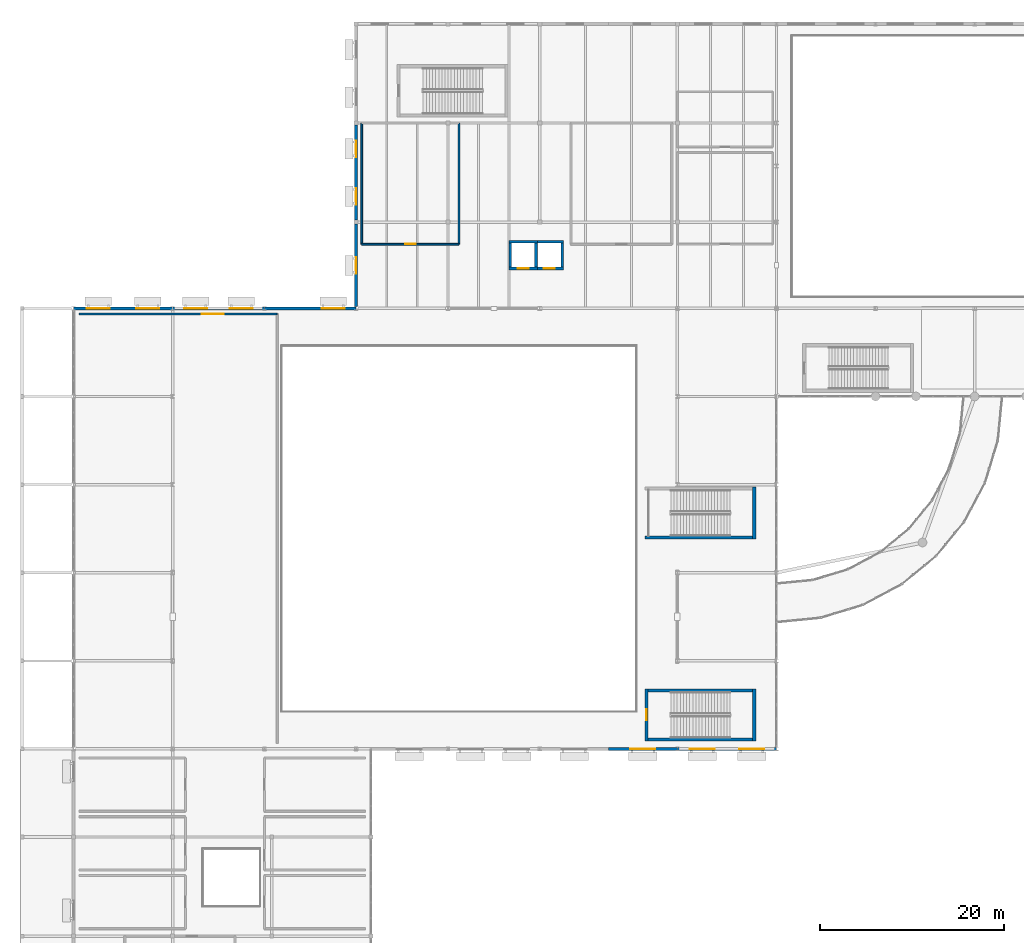
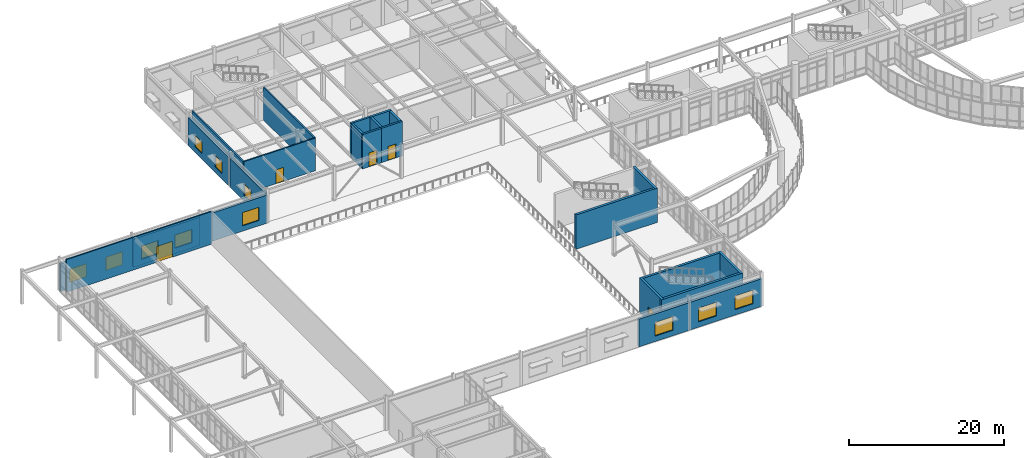
# One storey, part 49 of 72: 24 walls, 11 windows, 5 doors, 16 openings.
"""IFC4 building model written with IfcOpenShell, lengths in metres."""

import ifcopenshell
import ifcopenshell.guid

model = None  # the IFC model being written
_history = None  # IfcOwnerHistory: only IFC2X3 demands one
_inside = {}  # id of a spatial element -> (the spatial element, [elements in it])
_under = {}  # id of a project, library or spatial element -> (it, [spatial elements below it])
_declared = {}  # id of a project -> (the project, [libraries it declares])
_typed = {}  # id of a type object -> (the type object, [elements of that type])
_made_of = {}  # id of a material, layer set ... -> (it, [elements and type objects made of it])


def new_model(schema):
    """Start an empty IFC model of exactly this schema.

    Asked for "IFC4X3", IfcOpenShell would pick the latest addendum, in which some entities
    have other attributes; the version numbers below select the first issue.
    IFC2X3 requires an IfcOwnerHistory on every rooted entity: one is made here for all.
    """
    global model, _history
    if schema == "IFC4X3":
        model = ifcopenshell.file(schema_version=(4, 3, 0, 0))
    else:
        model = ifcopenshell.file(schema=schema)
    _inside.clear()
    _under.clear()
    _declared.clear()
    _typed.clear()
    _made_of.clear()
    _history = None
    if model.schema == "IFC2X3":
        org = make("IfcOrganization", Name="unknown")
        user = make(
            "IfcPersonAndOrganization",
            ThePerson=make("IfcPerson", FamilyName="unknown"),
            TheOrganization=org,
        )
        app = make(
            "IfcApplication",
            ApplicationDeveloper=org,
            Version="unknown",
            ApplicationFullName="unknown",
            ApplicationIdentifier="unknown",
        )
        _history = make(
            "IfcOwnerHistory",
            OwningUser=user,
            OwningApplication=app,
            ChangeAction="ADDED",
            CreationDate=0,
        )
    return model


def make(cls, **values):
    """One entity of the class cls with the attributes given. An attribute that is None is left unset."""
    return model.create_entity(
        cls, **{name: value for name, value in values.items() if value is not None}
    )


def rooted(cls, **values):
    """An entity with a GlobalId (a new one), such as an element, a storey or a relation."""
    return make(cls, GlobalId=ifcopenshell.guid.new(), OwnerHistory=_history, **values)


def si_unit(unit_type, name, prefix=None):
    """IfcSIUnit, for example si_unit("LENGTHUNIT", "METRE", prefix="MILLI")."""
    return make("IfcSIUnit", UnitType=unit_type, Prefix=prefix, Name=name)


def assignment(units):
    """IfcUnitAssignment: the units of a project."""
    return None if units is None else make("IfcUnitAssignment", Units=units)


def point(xyz):
    """IfcCartesianPoint."""
    return None if xyz is None else make("IfcCartesianPoint", Coordinates=xyz)


def direction(xyz):
    """IfcDirection."""
    return None if xyz is None else make("IfcDirection", DirectionRatios=xyz)


def frame(location, z_axis=None, x_axis=None):
    """IfcAxis2Placement3D, a coordinate frame: its origin and axes. An axis left out is left unset."""
    return make(
        "IfcAxis2Placement3D",
        Location=point(location),
        Axis=direction(z_axis),
        RefDirection=direction(x_axis),
    )


def frame_2d(location, x_axis=None):
    """IfcAxis2Placement2D, a coordinate frame in the plane: its origin and x axis."""
    return make(
        "IfcAxis2Placement2D", Location=point(location), RefDirection=direction(x_axis)
    )


def origin():
    """The frame at (0, 0, 0) with its axes left unset."""
    return frame((0.0, 0.0, 0.0))


def place(relative_to, where):
    """IfcLocalPlacement: puts the frame where relative to a parent placement (None: the world)."""
    return make(
        "IfcLocalPlacement", PlacementRelTo=relative_to, RelativePlacement=where
    )


def context(
    kind, dimensions, precision=None, world=None, true_north=None, identifier=None
):
    """IfcGeometricRepresentationContext, for example the 3D "Model" context."""
    return make(
        "IfcGeometricRepresentationContext",
        ContextIdentifier=identifier,
        ContextType=kind,
        CoordinateSpaceDimension=dimensions,
        Precision=precision,
        WorldCoordinateSystem=world,
        TrueNorth=true_north,
    )


def subcontext(parent, identifier, kind, view, scale=None):
    """IfcGeometricRepresentationSubContext, for example "Body" below "Model"."""
    return make(
        "IfcGeometricRepresentationSubContext",
        ContextIdentifier=identifier,
        ContextType=kind,
        ParentContext=parent,
        TargetScale=scale,
        TargetView=view,
    )


def project(units=None, contexts=None):
    """IfcProject with its units and contexts."""
    return rooted(
        "IfcProject",
        Name="project",
        RepresentationContexts=contexts,
        UnitsInContext=assignment(units),
    )


def spatial(cls, under=None, at=None, **own):
    """A site, building, storey or space (cls), placed at a placement, below another one or the project."""
    s = rooted(cls, ObjectPlacement=at, **own)
    if under is not None:
        _under.setdefault(under.id(), (under, []))[1].append(s)
    return s


def profile(cls, at=None, kind="AREA", **sizes):
    """A parametric profile (cls). Its sizes go by their IFC names, for example OverallWidth=200.0."""
    return make(cls, ProfileType=kind, Position=at, **sizes)


def rectangle(**sizes):
    """IfcRectangleProfileDef."""
    return profile("IfcRectangleProfileDef", **sizes)


def extrude(swept, where, along, depth):
    """IfcExtrudedAreaSolid: the profile swept, set in the frame where, extruded along a direction by depth."""
    return make(
        "IfcExtrudedAreaSolid",
        SweptArea=swept,
        Position=where,
        ExtrudedDirection=direction(along),
        Depth=depth,
    )


def shape(context_of_items, identifier, shape_type, items):
    """IfcShapeRepresentation: the items that make up one representation, for example the "Body"."""
    return make(
        "IfcShapeRepresentation",
        ContextOfItems=context_of_items,
        RepresentationIdentifier=identifier,
        RepresentationType=shape_type,
        Items=items,
    )


def material(Name=None, Category=None):
    """IfcMaterial."""
    return make("IfcMaterial", Name=Name, Category=Category)


def layer(
    of_material, thickness, ventilated=None, Name=None, Category=None, Priority=None
):
    """IfcMaterialLayer: one layer of a wall or slab, of a material (None: an air gap)."""
    return make(
        "IfcMaterialLayer",
        Material=of_material,
        LayerThickness=thickness,
        IsVentilated=ventilated,
        Name=Name,
        Category=Category,
        Priority=Priority,
    )


def layer_set(layers, Name=None):
    """IfcMaterialLayerSet."""
    return make("IfcMaterialLayerSet", MaterialLayers=layers, LayerSetName=Name)


def made_of(thing, what):
    """Note that an element or type object is made of a material, layer set ...; save() writes the relation."""
    if what is not None:
        _made_of.setdefault(what.id(), (what, []))[1].append(thing)
    return thing


def type_object(cls, material=None, **own):
    """A type object (cls), such as IfcWallType, which elements share."""
    return made_of(rooted(cls, **own), material)


def element(
    cls,
    number,
    at=None,
    inside=None,
    cuts=None,
    type_object=None,
    material=None,
    context=None,
    identifier="Body",
    shape_type=None,
    held_by="IfcProductDefinitionShape",
    body=None,
    shapes=None,
    **own,
):
    """One element of the class cls, such as IfcWall. Its Tag is "e" and its number.

    at: its placement. inside: the storey or other place that contains it. cuts: it is an
    opening in that element (IfcRelVoidsElement). A single representation is given by context,
    identifier, shape_type and body (its items); several are given by shapes. held_by: the class
    of the entity that holds the representations. save() writes the other relations.
    """
    e = rooted(cls, Tag="e%d" % number, ObjectPlacement=at, **own)
    if body is not None:
        shapes = [shape(context, identifier, shape_type, body)]
    if shapes is not None:
        e.Representation = make(held_by, Representations=shapes)
    if inside is not None:
        _inside.setdefault(inside.id(), (inside, []))[1].append(e)
    if cuts is not None:
        rooted(
            "IfcRelVoidsElement", RelatingBuildingElement=cuts, RelatedOpeningElement=e
        )
    if type_object is not None:
        _typed.setdefault(type_object.id(), (type_object, []))[1].append(e)
    return made_of(e, material)


def fill(opening, filler):
    """IfcRelFillsElement: the door or window that sits in an opening."""
    return rooted(
        "IfcRelFillsElement",
        RelatingOpeningElement=opening,
        RelatedBuildingElement=filler,
    )


def aggregate(whole, parts):
    """IfcRelAggregates: a whole, such as a stair, and the parts it consists of."""
    return rooted("IfcRelAggregates", RelatingObject=whole, RelatedObjects=parts)


def save(model, path):
    """Write the relations noted so far, then the file.

    IfcRelAggregates (storeys below a building ...), IfcRelContainedInSpatialStructure (elements
    in a storey), IfcRelDefinesByType, IfcRelAssociatesMaterial and IfcRelDeclares: one each for
    every whole, place, type object, material and project.
    """
    for whole, parts in _under.values():
        aggregate(whole, parts)
    for where, things in _inside.values():
        rooted(
            "IfcRelContainedInSpatialStructure",
            RelatedElements=things,
            RelatingStructure=where,
        )
    for kind, things in _typed.values():
        rooted("IfcRelDefinesByType", RelatedObjects=things, RelatingType=kind)
    for what, things in _made_of.values():
        rooted("IfcRelAssociatesMaterial", RelatedObjects=things, RelatingMaterial=what)
    for by, libraries in _declared.values():
        rooted("IfcRelDeclares", RelatingContext=by, RelatedDefinitions=libraries)
    model.write(path)


model = new_model("IFC4")

# Units and contexts
model_context = context("Model", 3, precision=1e-05, world=origin(), true_north=direction((0.0, 1.0)))
body_context = subcontext(model_context, "Body", "Model", "MODEL_VIEW")
ifc_project = project(units=[si_unit("LENGTHUNIT", "METRE"), si_unit("AREAUNIT", "SQUARE_METRE"), si_unit("VOLUMEUNIT", "CUBIC_METRE"), si_unit("PLANEANGLEUNIT", "RADIAN"), si_unit("MASSUNIT", "GRAM", prefix="KILO")], contexts=[model_context])

# Site, building, storey
site_placement = place(None, origin())
site = spatial("IfcSite", under=ifc_project, at=site_placement, CompositionType="ELEMENT")
building_placement = place(site_placement, origin())
building = spatial("IfcBuilding", under=site, at=building_placement, Name="Veldera Park Congress Hotel", CompositionType="ELEMENT")
storey_placement = place(building_placement, frame((0.0, 0.0, 5.39990234375)))
storey = spatial("IfcBuildingStorey", under=building, at=storey_placement, Name="L01", CompositionType="ELEMENT", Elevation=5.39990234375)

# Wall, openings, windows
ifc_material_1 = material(Name="Cross-laminated timber CLT V2M1.1", Category="wood")
ifc_layer_1 = layer(ifc_material_1, 0.320068359375)
ifc_layer_set_1 = layer_set([ifc_layer_1], Name="Cross-laminated timber CLT V2M1.1")
wall_type_1 = type_object("IfcWallType", Name="EW-CLT320", PredefinedType="STANDARD", material=ifc_layer_set_1)
wall_1_placement = place(storey_placement, frame((-47.39990234375, 46.97705078125, 0.0), z_axis=(0.0, 0.0, 1.0), x_axis=(0.0, -1.0, 0.0)))
wall_1 = element("IfcWall", 1, at=wall_1_placement, inside=storey, type_object=wall_type_1, Name="L01 Exterior Wall EW3-L01-0053", PredefinedType="STANDARD", context=body_context, shape_type="SweptSolid", body=[
    extrude(rectangle(XDim=10.35400390625, YDim=0.320068359375, at=frame_2d((5.177001953125, 0.0))), origin(), (0.0, 0.0, 1.0), 4.43212890625),
])
opening_1_placement = place(wall_1_placement, frame((1.6884765625, 0.0, 0.85009765625)))
opening_1 = element("IfcOpeningElement", 2, at=opening_1_placement, cuts=wall_1, Name="Opening WIN-1800", PredefinedType="OPENING", context=body_context, shape_type="SweptSolid", body=[
    extrude(rectangle(XDim=1.800048828125, YDim=1.85009765625, at=frame_2d((0.89990234375, 0.925048828125))), frame((0.0, 0.172119140625, 0.0), z_axis=(0.0, -1.0, 0.0), x_axis=(1.0, 0.0, 0.0)), (0.0, 0.0, 1.0), 0.343994140625),
])
opening_2_placement = place(wall_1_placement, frame((6.865478515625, 0.0, 0.85009765625)))
opening_2 = element("IfcOpeningElement", 3, at=opening_2_placement, cuts=wall_1, Name="Opening WIN-1800", PredefinedType="OPENING", context=body_context, shape_type="SweptSolid", body=[
    extrude(rectangle(XDim=1.800048828125, YDim=1.85009765625, at=frame_2d((0.89990234375, 0.925048828125))), frame((0.0, 0.172119140625, 0.0), z_axis=(0.0, -1.0, 0.0), x_axis=(1.0, 0.0, 0.0)), (0.0, 0.0, 1.0), 0.343994140625),
])
ifc_material_2 = material(Name="Low-E Triple Insulating Glass Unit (SHGC 0.22)", Category="glass")
window_type_1 = type_object("IfcWindowType", Name="WIN-1800", PartitioningType="SINGLE_PANEL", PredefinedType="WINDOW", material=ifc_material_2)
window_1_placement = place(opening_1_placement, origin())
window_1 = element("IfcWindow", 4, at=window_1_placement, inside=storey, type_object=window_type_1, Name="L01 Window WIN-1800 61", OverallHeight=1.85009765625, OverallWidth=1.800048828125, PartitioningType="SINGLE_PANEL", PredefinedType="WINDOW", context=body_context, shape_type="SweptSolid", body=[
    extrude(rectangle(XDim=1.800048828125, YDim=1.85009765625, at=frame_2d((0.89990234375, 0.925048828125))), frame((0.0, 0.030029296875, 0.0), z_axis=(0.0, -1.0, 0.0), x_axis=(1.0, 0.0, 0.0)), (0.0, 0.0, 1.0), 0.06005859375),
])
fill(opening_1, window_1)
window_2_placement = place(opening_2_placement, origin())
window_2 = element("IfcWindow", 5, at=window_2_placement, inside=storey, type_object=window_type_1, Name="L01 Window WIN-1800 62", OverallHeight=1.85009765625, OverallWidth=1.800048828125, PartitioningType="SINGLE_PANEL", PredefinedType="WINDOW", context=body_context, shape_type="SweptSolid", body=[
    extrude(rectangle(XDim=1.800048828125, YDim=1.85009765625, at=frame_2d((0.89990234375, 0.925048828125))), frame((0.0, 0.030029296875, 0.0), z_axis=(0.0, -1.0, 0.0), x_axis=(1.0, 0.0, 0.0)), (0.0, 0.0, 1.0), 0.06005859375),
])
fill(opening_2, window_2)

# Wall, opening, window
wall_2_placement = place(storey_placement, frame((-47.39990234375, 36.177001953125, 0.0), z_axis=(0.0, 0.0, 1.0), x_axis=(0.0, -1.0, 0.0)))
wall_2 = element("IfcWall", 6, at=wall_2_placement, inside=storey, type_object=wall_type_1, Name="L01 Exterior Wall EW3-L01-0054", PredefinedType="STANDARD", context=body_context, shape_type="SweptSolid", body=[
    extrude(rectangle(XDim=8.988525390625, YDim=0.320068359375, at=frame_2d((4.494140625, 0.0))), origin(), (0.0, 0.0, 1.0), 4.508056640625),
])
opening_3_placement = place(wall_2_placement, frame((3.59423828125, 0.0, 0.85009765625)))
opening_3 = element("IfcOpeningElement", 7, at=opening_3_placement, cuts=wall_2, Name="Opening WIN-1800", PredefinedType="OPENING", context=body_context, shape_type="SweptSolid", body=[
    extrude(rectangle(XDim=1.800048828125, YDim=1.85009765625, at=frame_2d((0.89990234375, 0.925048828125))), frame((0.0, 0.172119140625, 0.0), z_axis=(0.0, -1.0, 0.0), x_axis=(1.0, 0.0, 0.0)), (0.0, 0.0, 1.0), 0.343994140625),
])
window_3_placement = place(opening_3_placement, origin())
window_3 = element("IfcWindow", 8, at=window_3_placement, inside=storey, type_object=window_type_1, Name="L01 Window WIN-1800 63", OverallHeight=1.85009765625, OverallWidth=1.800048828125, PartitioningType="SINGLE_PANEL", PredefinedType="WINDOW", context=body_context, shape_type="SweptSolid", body=[
    extrude(rectangle(XDim=1.800048828125, YDim=1.85009765625, at=frame_2d((0.89990234375, 0.925048828125))), frame((0.0, 0.030029296875, 0.0), z_axis=(0.0, -1.0, 0.0), x_axis=(1.0, 0.0, 0.0)), (0.0, 0.0, 1.0), 0.06005859375),
])
fill(opening_3, window_3)

ifc_material_3 = material(Name="Architectural Sandstone Cladding (ASTM C616)", Category="masonry")
ifc_layer_2 = layer(ifc_material_3, 0.340087890625)
ifc_layer_set_2 = layer_set([ifc_layer_2], Name="Architectural Sandstone Cladding (ASTM C616)")
wall_type_2 = type_object("IfcWallType", Name="EW-STONE340", PredefinedType="STANDARD", material=ifc_layer_set_2)
wall_3_placement = place(storey_placement, frame((-47.407470703125, 27.0, 0.0), z_axis=(0.0, 0.0, 1.0), x_axis=(-1.0, 0.0, 0.0)))
wall_3 = element("IfcWall", 9, at=wall_3_placement, inside=storey, type_object=wall_type_2, Name="L01 Exterior Wall EW3-L01-0049", PredefinedType="STANDARD", context=body_context, shape_type="SweptSolid", body=[
    extrude(rectangle(XDim=9.985107421875, YDim=0.340087890625, at=frame_2d((4.99267578125, 0.0))), origin(), (0.0, 0.0, 1.0), 4.424072265625),
])
opening_4_placement = place(wall_3_placement, frame((1.246337890625, 0.0, 0.85009765625)))
opening_4 = element("IfcOpeningElement", 10, at=opening_4_placement, cuts=wall_3, Name="Opening WIN-2500", PredefinedType="OPENING", context=body_context, shape_type="SweptSolid", body=[
    extrude(rectangle(XDim=2.5, YDim=2.080078125, at=frame_2d((1.25, 1.0400390625))), frame((0.0, 0.18212890625, 0.0), z_axis=(0.0, -1.0, 0.0), x_axis=(1.0, 0.0, 0.0)), (0.0, 0.0, 1.0), 0.364013671875),
])
window_type_2 = type_object("IfcWindowType", Name="WIN-2500", PartitioningType="DOUBLE_PANEL_VERTICAL", PredefinedType="WINDOW", material=ifc_material_2)
window_4_placement = place(opening_4_placement, origin())
window_4 = element("IfcWindow", 11, at=window_4_placement, inside=storey, type_object=window_type_2, Name="L01 Window WIN-2500 54", OverallHeight=2.080078125, OverallWidth=2.5, PartitioningType="DOUBLE_PANEL_VERTICAL", PredefinedType="WINDOW", context=body_context, shape_type="SweptSolid", body=[
    extrude(rectangle(XDim=2.5, YDim=2.080078125, at=frame_2d((1.25, 1.0400390625))), frame((0.0, 0.030029296875, 0.0), z_axis=(0.0, -1.0, 0.0), x_axis=(1.0, 0.0, 0.0)), (0.0, 0.0, 1.0), 0.06005859375),
])
fill(opening_4, window_4)

# Wall, openings, windows
wall_4_placement = place(storey_placement, frame((-57.407470703125, 27.0, 0.0), z_axis=(0.0, 0.0, 1.0), x_axis=(-1.0, 0.0, 0.0)))
wall_4 = element("IfcWall", 12, at=wall_4_placement, inside=storey, type_object=wall_type_2, Name="L01 Exterior Wall EW3-L01-0050", PredefinedType="STANDARD", context=body_context, shape_type="SweptSolid", body=[
    extrude(rectangle(XDim=9.98193359375, YDim=0.340087890625, at=frame_2d((4.990966796875, 0.0))), origin(), (0.0, 0.0, 1.0), 4.424072265625),
])
opening_5_placement = place(wall_4_placement, frame((1.24560546875, 0.0, 0.85009765625)))
opening_5 = element("IfcOpeningElement", 13, at=opening_5_placement, cuts=wall_4, Name="Opening WIN-2500", PredefinedType="OPENING", context=body_context, shape_type="SweptSolid", body=[
    extrude(rectangle(XDim=2.5, YDim=2.080078125, at=frame_2d((1.25, 1.0400390625))), frame((0.0, 0.18212890625, 0.0), z_axis=(0.0, -1.0, 0.0), x_axis=(1.0, 0.0, 0.0)), (0.0, 0.0, 1.0), 0.364013671875),
])
opening_6_placement = place(wall_4_placement, frame((6.236572265625, 0.0, 0.85009765625)))
opening_6 = element("IfcOpeningElement", 14, at=opening_6_placement, cuts=wall_4, Name="Opening WIN-2500", PredefinedType="OPENING", context=body_context, shape_type="SweptSolid", body=[
    extrude(rectangle(XDim=2.5, YDim=2.080078125, at=frame_2d((1.25, 1.0400390625))), frame((0.0, 0.18212890625, 0.0), z_axis=(0.0, -1.0, 0.0), x_axis=(1.0, 0.0, 0.0)), (0.0, 0.0, 1.0), 0.364013671875),
])
window_5_placement = place(opening_5_placement, origin())
window_5 = element("IfcWindow", 15, at=window_5_placement, inside=storey, type_object=window_type_2, Name="L01 Window WIN-2500 55", OverallHeight=2.080078125, OverallWidth=2.5, PartitioningType="DOUBLE_PANEL_VERTICAL", PredefinedType="WINDOW", context=body_context, shape_type="SweptSolid", body=[
    extrude(rectangle(XDim=2.5, YDim=2.080078125, at=frame_2d((1.25, 1.0400390625))), frame((0.0, 0.030029296875, 0.0), z_axis=(0.0, -1.0, 0.0), x_axis=(1.0, 0.0, 0.0)), (0.0, 0.0, 1.0), 0.06005859375),
])
fill(opening_5, window_5)
window_6_placement = place(opening_6_placement, origin())
window_6 = element("IfcWindow", 16, at=window_6_placement, inside=storey, type_object=window_type_2, Name="L01 Window WIN-2500 56", OverallHeight=2.080078125, OverallWidth=2.5, PartitioningType="DOUBLE_PANEL_VERTICAL", PredefinedType="WINDOW", context=body_context, shape_type="SweptSolid", body=[
    extrude(rectangle(XDim=2.5, YDim=2.080078125, at=frame_2d((1.25, 1.0400390625))), frame((0.0, 0.030029296875, 0.0), z_axis=(0.0, -1.0, 0.0), x_axis=(1.0, 0.0, 0.0)), (0.0, 0.0, 1.0), 0.06005859375),
])
fill(opening_6, window_6)

wall_5_placement = place(storey_placement, frame((-67.410400390625, 27.0, 0.0), z_axis=(0.0, 0.0, 1.0), x_axis=(-1.0, 0.0, 0.0)))
wall_5 = element("IfcWall", 17, at=wall_5_placement, inside=storey, type_object=wall_type_2, Name="L01 Exterior Wall EW3-L01-0051", PredefinedType="STANDARD", context=body_context, shape_type="SweptSolid", body=[
    extrude(rectangle(XDim=10.782958984375, YDim=0.340087890625, at=frame_2d((5.3916015625, 0.0))), origin(), (0.0, 0.0, 1.0), 4.34619140625),
])
opening_7_placement = place(wall_5_placement, frame((1.44580078125, 0.0, 0.85009765625)))
opening_7 = element("IfcOpeningElement", 18, at=opening_7_placement, cuts=wall_5, Name="Opening WIN-2500", PredefinedType="OPENING", context=body_context, shape_type="SweptSolid", body=[
    extrude(rectangle(XDim=2.5, YDim=2.080078125, at=frame_2d((1.25, 1.0400390625))), frame((0.0, 0.18212890625, 0.0), z_axis=(0.0, -1.0, 0.0), x_axis=(1.0, 0.0, 0.0)), (0.0, 0.0, 1.0), 0.364013671875),
])
opening_8_placement = place(wall_5_placement, frame((6.837158203125, 0.0, 0.85009765625)))
opening_8 = element("IfcOpeningElement", 19, at=opening_8_placement, cuts=wall_5, Name="Opening WIN-2500", PredefinedType="OPENING", context=body_context, shape_type="SweptSolid", body=[
    extrude(rectangle(XDim=2.5, YDim=2.080078125, at=frame_2d((1.25, 1.0400390625))), frame((0.0, 0.18212890625, 0.0), z_axis=(0.0, -1.0, 0.0), x_axis=(1.0, 0.0, 0.0)), (0.0, 0.0, 1.0), 0.364013671875),
])
window_7_placement = place(opening_7_placement, origin())
window_7 = element("IfcWindow", 20, at=window_7_placement, inside=storey, type_object=window_type_2, Name="L01 Window WIN-2500 57", OverallHeight=2.080078125, OverallWidth=2.5, PartitioningType="DOUBLE_PANEL_VERTICAL", PredefinedType="WINDOW", context=body_context, shape_type="SweptSolid", body=[
    extrude(rectangle(XDim=2.5, YDim=2.080078125, at=frame_2d((1.25, 1.0400390625))), frame((0.0, 0.030029296875, 0.0), z_axis=(0.0, -1.0, 0.0), x_axis=(1.0, 0.0, 0.0)), (0.0, 0.0, 1.0), 0.06005859375),
])
fill(opening_7, window_7)
window_8_placement = place(opening_8_placement, origin())
window_8 = element("IfcWindow", 21, at=window_8_placement, inside=storey, type_object=window_type_2, Name="L01 Window WIN-2500 58", OverallHeight=2.080078125, OverallWidth=2.5, PartitioningType="DOUBLE_PANEL_VERTICAL", PredefinedType="WINDOW", context=body_context, shape_type="SweptSolid", body=[
    extrude(rectangle(XDim=2.5, YDim=2.080078125, at=frame_2d((1.25, 1.0400390625))), frame((0.0, 0.030029296875, 0.0), z_axis=(0.0, -1.0, 0.0), x_axis=(1.0, 0.0, 0.0)), (0.0, 0.0, 1.0), 0.06005859375),
])
fill(opening_8, window_8)

# Wall, opening, window
ifc_layer_3 = layer(ifc_material_3, 0.360107421875)
ifc_layer_set_3 = layer_set([ifc_layer_3], Name="Architectural Sandstone Cladding (ASTM C616)")
wall_type_3 = type_object("IfcWallType", Name="EW-STONE360", PredefinedType="STANDARD", material=ifc_layer_set_3)
wall_6_placement = place(storey_placement, frame((-19.903564453125, -21.0, 0.0), z_axis=(0.0, 0.0, 1.0), x_axis=(1.0, 0.0, 0.0)))
wall_6 = element("IfcWall", 22, at=wall_6_placement, inside=storey, type_object=wall_type_3, Name="L01 Exterior Wall EW3-L01-0047", PredefinedType="STANDARD", context=body_context, shape_type="SweptSolid", body=[
    extrude(rectangle(XDim=7.4931640625, YDim=0.360107421875, at=frame_2d((3.74658203125, 0.0))), origin(), (0.0, 0.0, 1.0), 4.34619140625),
])
opening_9_placement = place(wall_6_placement, frame((2.396484375, 0.0, 0.85009765625)))
opening_9 = element("IfcOpeningElement", 23, at=opening_9_placement, cuts=wall_6, Name="Opening WIN-2700", PredefinedType="OPENING", context=body_context, shape_type="SweptSolid", body=[
    extrude(rectangle(XDim=2.699951171875, YDim=2.14990234375, at=frame_2d((1.35009765625, 1.074951171875))), frame((0.0, 0.192138671875, 0.0), z_axis=(0.0, -1.0, 0.0), x_axis=(1.0, 0.0, 0.0)), (0.0, 0.0, 1.0), 0.384033203125),
])
window_type_3 = type_object("IfcWindowType", Name="WIN-2700", PartitioningType="TRIPLE_PANEL_VERTICAL", PredefinedType="WINDOW", material=ifc_material_2)
window_9_placement = place(opening_9_placement, origin())
window_9 = element("IfcWindow", 24, at=window_9_placement, inside=storey, type_object=window_type_3, Name="L01 Window WIN-2700 51", OverallHeight=2.14990234375, OverallWidth=2.699951171875, PartitioningType="TRIPLE_PANEL_VERTICAL", PredefinedType="WINDOW", context=body_context, shape_type="SweptSolid", body=[
    extrude(rectangle(XDim=2.699951171875, YDim=2.14990234375, at=frame_2d((1.35009765625, 1.074951171875))), frame((0.0, 0.030029296875, 0.0), z_axis=(0.0, -1.0, 0.0), x_axis=(1.0, 0.0, 0.0)), (0.0, 0.0, 1.0), 0.06005859375),
])
fill(opening_9, window_9)

# Wall, openings, windows
wall_7_placement = place(storey_placement, frame((-12.3896484375, -21.0, 0.0), z_axis=(0.0, 0.0, 1.0), x_axis=(1.0, 0.0, 0.0)))
wall_7 = element("IfcWall", 25, at=wall_7_placement, inside=storey, type_object=wall_type_3, Name="L01 Exterior Wall EW3-L01-0048", PredefinedType="STANDARD", context=body_context, shape_type="SweptSolid", body=[
    extrude(rectangle(XDim=10.782958984375, YDim=0.360107421875, at=frame_2d((5.3916015625, 0.0))), origin(), (0.0, 0.0, 1.0), 4.34619140625),
])
opening_10_placement = place(wall_7_placement, frame((1.345703125, 0.0, 0.85009765625)))
opening_10 = element("IfcOpeningElement", 26, at=opening_10_placement, cuts=wall_7, Name="Opening WIN-2700", PredefinedType="OPENING", context=body_context, shape_type="SweptSolid", body=[
    extrude(rectangle(XDim=2.699951171875, YDim=2.14990234375, at=frame_2d((1.35009765625, 1.074951171875))), frame((0.0, 0.192138671875, 0.0), z_axis=(0.0, -1.0, 0.0), x_axis=(1.0, 0.0, 0.0)), (0.0, 0.0, 1.0), 0.384033203125),
])
opening_11_placement = place(wall_7_placement, frame((6.7373046875, 0.0, 0.85009765625)))
opening_11 = element("IfcOpeningElement", 27, at=opening_11_placement, cuts=wall_7, Name="Opening WIN-2700", PredefinedType="OPENING", context=body_context, shape_type="SweptSolid", body=[
    extrude(rectangle(XDim=2.699951171875, YDim=2.14990234375, at=frame_2d((1.35009765625, 1.074951171875))), frame((0.0, 0.192138671875, 0.0), z_axis=(0.0, -1.0, 0.0), x_axis=(1.0, 0.0, 0.0)), (0.0, 0.0, 1.0), 0.384033203125),
])
window_10_placement = place(opening_10_placement, origin())
window_10 = element("IfcWindow", 28, at=window_10_placement, inside=storey, type_object=window_type_3, Name="L01 Window WIN-2700 52", OverallHeight=2.14990234375, OverallWidth=2.699951171875, PartitioningType="TRIPLE_PANEL_VERTICAL", PredefinedType="WINDOW", context=body_context, shape_type="SweptSolid", body=[
    extrude(rectangle(XDim=2.699951171875, YDim=2.14990234375, at=frame_2d((1.35009765625, 1.074951171875))), frame((0.0, 0.030029296875, 0.0), z_axis=(0.0, -1.0, 0.0), x_axis=(1.0, 0.0, 0.0)), (0.0, 0.0, 1.0), 0.06005859375),
])
fill(opening_10, window_10)
window_11_placement = place(opening_11_placement, origin())
window_11 = element("IfcWindow", 29, at=window_11_placement, inside=storey, type_object=window_type_3, Name="L01 Window WIN-2700 53", OverallHeight=2.14990234375, OverallWidth=2.699951171875, PartitioningType="TRIPLE_PANEL_VERTICAL", PredefinedType="WINDOW", context=body_context, shape_type="SweptSolid", body=[
    extrude(rectangle(XDim=2.699951171875, YDim=2.14990234375, at=frame_2d((1.35009765625, 1.074951171875))), frame((0.0, 0.030029296875, 0.0), z_axis=(0.0, -1.0, 0.0), x_axis=(1.0, 0.0, 0.0)), (0.0, 0.0, 1.0), 0.06005859375),
])
fill(opening_11, window_11)

# Wall, opening, door
ifc_material_4 = material(Name="Fire-Rated Gypsum Board on Cold-Formed Steel Studs", Category="steel")
ifc_layer_4 = layer(ifc_material_4, 0.195068359375)
ifc_layer_set_4 = layer_set([ifc_layer_4], Name="Fire-Rated Gypsum Board on Cold-Formed Steel Studs")
wall_type_4 = type_object("IfcWallType", Name="IW-CORR195", PredefinedType="PARTITIONING", material=ifc_layer_set_4)
wall_8_placement = place(storey_placement, frame((-56.0, 26.39990234375, 0.0), z_axis=(0.0, 0.0, 1.0), x_axis=(-1.0, 0.0, 0.0)))
wall_8 = element("IfcWall", 30, at=wall_8_placement, inside=storey, type_object=wall_type_4, Name="L01 Partition Wall IW3-L01-00096", PredefinedType="PARTITIONING", context=body_context, shape_type="SweptSolid", body=[
    extrude(rectangle(XDim=21.60009765625, YDim=0.195068359375, at=frame_2d((10.800048828125, 0.0))), origin(), (0.0, 0.0, 1.0), 5.130126953125),
])
opening_12_placement = place(wall_8_placement, frame((5.80810546875, 0.0, 0.0)))
opening_12 = element("IfcOpeningElement", 31, at=opening_12_placement, cuts=wall_8, Name="Opening ID-HALL240", PredefinedType="OPENING", context=body_context, shape_type="SweptSolid", body=[
    extrude(rectangle(XDim=2.39990234375, YDim=2.5, at=frame_2d((1.199951171875, 1.25))), frame((0.0, 0.109619140625, 0.0), z_axis=(0.0, -1.0, 0.0), x_axis=(1.0, 0.0, 0.0)), (0.0, 0.0, 1.0), 0.218994140625),
])
ifc_material_5 = material(Name="Solid Core White Oak Architectural Door", Category="wood")
door_type_1 = type_object("IfcDoorType", Name="ID-HALL240", OperationType="DOUBLE_DOOR_SINGLE_SWING", PredefinedType="DOOR", material=ifc_material_5)
door_1_placement = place(opening_12_placement, origin())
door_1 = element("IfcDoor", 32, at=door_1_placement, inside=storey, type_object=door_type_1, Name="L01 Plenary Balcony Tier and Delegates Lounge Door ID3-L01-0035 (DR3-ID3-L01-0035)", OperationType="DOUBLE_DOOR_SINGLE_SWING", OverallHeight=2.5, OverallWidth=2.39990234375, PredefinedType="DOOR", context=body_context, shape_type="SweptSolid", body=[
    extrude(rectangle(XDim=2.39990234375, YDim=2.5, at=frame_2d((1.199951171875, 1.25))), frame((0.0, 0.02490234375, 0.0), z_axis=(0.0, -1.0, 0.0), x_axis=(1.0, 0.0, 0.0)), (0.0, 0.0, 1.0), 0.050048828125),
])
fill(opening_12, door_1)

wall_9_placement = place(storey_placement, frame((-46.800048828125, 34.0, 0.0), z_axis=(0.0, 0.0, 1.0), x_axis=(1.0, 0.0, 0.0)))
wall_9 = element("IfcWall", 33, at=wall_9_placement, inside=storey, type_object=wall_type_4, Name="L01 Partition Wall IW3-L01-00097", PredefinedType="PARTITIONING", context=body_context, shape_type="SweptSolid", body=[
    extrude(rectangle(XDim=10.60009765625, YDim=0.195068359375, at=frame_2d((5.300048828125, 0.0))), origin(), (0.0, 0.0, 1.0), 5.130126953125),
])
opening_13_placement = place(wall_9_placement, frame((4.72509765625, 0.0, 0.0)))
opening_13 = element("IfcOpeningElement", 34, at=opening_13_placement, cuts=wall_9, Name="Opening ID-MEET115", PredefinedType="OPENING", context=body_context, shape_type="SweptSolid", body=[
    extrude(rectangle(XDim=1.14990234375, YDim=2.199951171875, at=frame_2d((0.574951171875, 1.10009765625))), frame((0.0, 0.109619140625, 0.0), z_axis=(0.0, -1.0, 0.0), x_axis=(1.0, 0.0, 0.0)), (0.0, 0.0, 1.0), 0.218994140625),
])
door_type_2 = type_object("IfcDoorType", Name="ID-MEET115", OperationType="NOTDEFINED", PredefinedType="DOOR", material=ifc_material_5)
door_2_placement = place(opening_13_placement, origin())
door_2 = element("IfcDoor", 35, at=door_2_placement, inside=storey, type_object=door_type_2, Name="L01 Breakout Seminar Hall A Door ID3-L01-0036 (DR3-ID3-L01-0036)", OperationType="SINGLE_SWING_LEFT", OverallHeight=2.199951171875, OverallWidth=1.14990234375, PredefinedType="DOOR", context=body_context, shape_type="SweptSolid", body=[
    extrude(rectangle(XDim=1.14990234375, YDim=2.199951171875, at=frame_2d((0.574951171875, 1.10009765625))), frame((0.0, 0.02490234375, 0.0), z_axis=(0.0, -1.0, 0.0), x_axis=(1.0, 0.0, 0.0)), (0.0, 0.0, 1.0), 0.050048828125),
])
fill(opening_13, door_2)

# Walls
for number, where, z_axis, x_axis, name in (
    (36, (-36.199951171875, 34.0, 0.0), (0.0, 0.0, 1.0), (0.0, 1.0, 0.0), "L01 Partition Wall IW3-L01-00098"),
    (37, (-46.800048828125, 47.199951171875, 0.0), (0.0, 0.0, 1.0), (0.0, -1.0, 0.0), "L01 Partition Wall IW3-L01-00100"),
):
    element("IfcWall", number, at=place(storey_placement, frame(where, z_axis=z_axis, x_axis=x_axis)), inside=storey, type_object=wall_type_4, Name=name, PredefinedType="PARTITIONING", context=body_context, shape_type="SweptSolid", body=[
        extrude(rectangle(XDim=13.199951171875, YDim=0.195068359375, at=frame_2d((6.60009765625, 0.0))), origin(), (0.0, 0.0, 1.0), 5.130126953125),
    ])
ifc_material_6 = material(Name="Concrete f'c 40 MPa (5,800 psi)", Category="concrete")
ifc_layer_5 = layer(ifc_material_6, 0.35009765625)
ifc_layer_set_5 = layer_set([ifc_layer_5], Name="Concrete f'c 40 MPa (5,800 psi)")
wall_type_5 = type_object("IfcWallType", Name="SW-CORE350", PredefinedType="SHEAR", material=ifc_layer_set_5)
wall_10_placement = place(storey_placement, frame((-15.949951171875, -19.97509765625, 0.0), z_axis=(0.0, 0.0, 1.0), x_axis=(1.0, 0.0, 0.0)))
element("IfcWall", 38, at=wall_10_placement, inside=storey, type_object=wall_type_5, Name="Stair ST5 Core Wall L01-S", PredefinedType="SHEAR", context=body_context, shape_type="SweptSolid", body=[
    extrude(rectangle(XDim=12.099853515625, YDim=0.35009765625, at=frame_2d((6.0498046875, 0.0))), origin(), (0.0, 0.0, 1.0), 5.400146484375),
])
wall_11_placement = place(storey_placement, frame((-4.02490234375, -20.14990234375, 0.0), z_axis=(0.0, 0.0, 1.0), x_axis=(0.0, 1.0, 0.0)))
element("IfcWall", 39, at=wall_11_placement, inside=storey, type_object=wall_type_5, Name="Stair ST5 Core Wall L01-E", PredefinedType="SHEAR", context=body_context, shape_type="SweptSolid", body=[
    extrude(rectangle(XDim=5.699951171875, YDim=0.35009765625, at=frame_2d((2.85009765625, 0.0))), origin(), (0.0, 0.0, 1.0), 5.400146484375),
])
wall_12_placement = place(storey_placement, frame((-3.85009765625, -14.625, 0.0), z_axis=(0.0, 0.0, 1.0), x_axis=(-1.0, 0.0, 0.0)))
element("IfcWall", 40, at=wall_12_placement, inside=storey, type_object=wall_type_5, Name="Stair ST5 Core Wall L01-N", PredefinedType="SHEAR", context=body_context, shape_type="SweptSolid", body=[
    extrude(rectangle(XDim=12.099853515625, YDim=0.35009765625, at=frame_2d((6.0498046875, 0.0))), origin(), (0.0, 0.0, 1.0), 5.400146484375),
])

# Wall, opening, door
wall_13_placement = place(storey_placement, frame((-15.77490234375, -14.449951171875, 0.0), z_axis=(0.0, 0.0, 1.0), x_axis=(0.0, -1.0, 0.0)))
wall_13 = element("IfcWall", 41, at=wall_13_placement, inside=storey, type_object=wall_type_5, Name="Stair ST5 Core Wall L01-W", PredefinedType="SHEAR", context=body_context, shape_type="SweptSolid", body=[
    extrude(rectangle(XDim=5.699951171875, YDim=0.35009765625, at=frame_2d((2.85009765625, 0.0))), origin(), (0.0, 0.0, 1.0), 5.400146484375),
])
opening_14_placement = place(wall_13_placement, frame((2.25, 0.0, 0.0)))
opening_14 = element("IfcOpeningElement", 42, at=opening_14_placement, cuts=wall_13, Name="Opening ID-STAIR120", PredefinedType="OPENING", context=body_context, shape_type="SweptSolid", body=[
    extrude(rectangle(XDim=1.199951171875, YDim=2.199951171875, at=frame_2d((0.60009765625, 1.10009765625))), frame((0.0, 0.18701171875, 0.0), z_axis=(0.0, -1.0, 0.0), x_axis=(1.0, 0.0, 0.0)), (0.0, 0.0, 1.0), 0.3740234375),
])
ifc_material_7 = material(Name="Hollow Metal Fire-Rated Steel Door", Category="steel")
door_type_3 = type_object("IfcDoorType", Name="ID-STAIR120", OperationType="NOTDEFINED", PredefinedType="DOOR", material=ifc_material_7)
door_3_placement = place(opening_14_placement, origin())
door_3 = element("IfcDoor", 43, at=door_3_placement, inside=storey, type_object=door_type_3, Name="L01 Stair ST5 Fire Door (DR3-SD-ST5-L01)", OperationType="SINGLE_SWING_RIGHT", OverallHeight=2.199951171875, OverallWidth=1.199951171875, PredefinedType="DOOR", context=body_context, shape_type="SweptSolid", body=[
    extrude(rectangle(XDim=1.199951171875, YDim=2.199951171875, at=frame_2d((0.60009765625, 1.10009765625))), frame((0.0, 0.02490234375, 0.0), z_axis=(0.0, -1.0, 0.0), x_axis=(1.0, 0.0, 0.0)), (0.0, 0.0, 1.0), 0.050048828125),
])
fill(opening_14, door_3)

# Walls
wall_14_placement = place(storey_placement, frame((-15.949951171875, 2.02490234375, 0.0), z_axis=(0.0, 0.0, 1.0), x_axis=(1.0, 0.0, 0.0)))
element("IfcWall", 44, at=wall_14_placement, inside=storey, type_object=wall_type_5, Name="Monumental Stair ST9 Wall L01-S", PredefinedType="SHEAR", context=body_context, shape_type="SweptSolid", body=[
    extrude(rectangle(XDim=12.099853515625, YDim=0.35009765625, at=frame_2d((6.0498046875, 0.0))), origin(), (0.0, 0.0, 1.0), 5.400146484375),
])
wall_15_placement = place(storey_placement, frame((-4.02490234375, 1.85009765625, 0.0), z_axis=(0.0, 0.0, 1.0), x_axis=(0.0, 1.0, 0.0)))
element("IfcWall", 45, at=wall_15_placement, inside=storey, type_object=wall_type_5, Name="Monumental Stair ST9 Wall L01-E", PredefinedType="SHEAR", context=body_context, shape_type="SweptSolid", body=[
    extrude(rectangle(XDim=5.699951171875, YDim=0.35009765625, at=frame_2d((2.85009765625, 0.0))), origin(), (0.0, 0.0, 1.0), 5.400146484375),
])

# Wall, opening, door
ifc_layer_6 = layer(ifc_material_6, 0.300048828125)
ifc_layer_set_6 = layer_set([ifc_layer_6], Name="Concrete f'c 40 MPa (5,800 psi)")
wall_type_6 = type_object("IfcWallType", Name="SW-SHFT300", PredefinedType="SHEAR", material=ifc_layer_set_6)
wall_16_placement = place(storey_placement, frame((-30.75, 31.35009765625, 0.0), z_axis=(0.0, 0.0, 1.0), x_axis=(1.0, 0.0, 0.0)))
wall_16 = element("IfcWall", 46, at=wall_16_placement, inside=storey, type_object=wall_type_6, Name="Lift CL-01 Shaft Wall L01-S", PredefinedType="SHEAR", context=body_context, shape_type="SweptSolid", body=[
    extrude(rectangle(XDim=3.10009765625, YDim=0.300048828125, at=frame_2d((1.550048828125, 0.0))), origin(), (0.0, 0.0, 1.0), 5.400146484375),
])
opening_15_placement = place(wall_16_placement, frame((0.949951171875, 0.0, 0.0)))
opening_15 = element("IfcOpeningElement", 47, at=opening_15_placement, cuts=wall_16, Name="Opening LD-120", PredefinedType="OPENING", context=body_context, shape_type="SweptSolid", body=[
    extrude(rectangle(XDim=1.199951171875, YDim=2.199951171875, at=frame_2d((0.60009765625, 1.10009765625))), frame((0.0, 0.162109375, 0.0), z_axis=(0.0, -1.0, 0.0), x_axis=(1.0, 0.0, 0.0)), (0.0, 0.0, 1.0), 0.323974609375),
])
door_type_4 = type_object("IfcDoorType", Name="LD-120", OperationType="DOUBLE_DOOR_SLIDING", PredefinedType="DOOR", material=ifc_material_7)
door_4_placement = place(opening_15_placement, origin())
door_4 = element("IfcDoor", 48, at=door_4_placement, inside=storey, type_object=door_type_4, Name="L01 Lift CL-01 Landing Door (DR3-LD-CL-01-L01)", OperationType="DOUBLE_DOOR_SLIDING", OverallHeight=2.199951171875, OverallWidth=1.199951171875, PredefinedType="DOOR", context=body_context, shape_type="SweptSolid", body=[
    extrude(rectangle(XDim=1.199951171875, YDim=2.199951171875, at=frame_2d((0.60009765625, 1.10009765625))), frame((0.0, 0.02490234375, 0.0), z_axis=(0.0, -1.0, 0.0), x_axis=(1.0, 0.0, 0.0)), (0.0, 0.0, 1.0), 0.050048828125),
])
fill(opening_15, door_4)

# Walls
wall_17_placement = place(storey_placement, frame((-27.64990234375, 34.25, 0.0), z_axis=(0.0, 0.0, 1.0), x_axis=(-1.0, 0.0, 0.0)))
element("IfcWall", 49, at=wall_17_placement, inside=storey, type_object=wall_type_6, Name="Lift CL-01 Shaft Wall L01-N", PredefinedType="SHEAR", context=body_context, shape_type="SweptSolid", body=[
    extrude(rectangle(XDim=3.10009765625, YDim=0.300048828125, at=frame_2d((1.550048828125, 0.0))), origin(), (0.0, 0.0, 1.0), 5.400146484375),
])
for number, where, z_axis, x_axis, name in (
    (50, (-27.800048828125, 31.5, 0.0), (0.0, 0.0, 1.0), (0.0, 1.0, 0.0), "Lift CL-01 Shaft Wall L01-E"),
    (51, (-30.60009765625, 34.10009765625, 0.0), (0.0, 0.0, 1.0), (0.0, -1.0, 0.0), "Lift CL-01 Shaft Wall L01-W"),
):
    element("IfcWall", number, at=place(storey_placement, frame(where, z_axis=z_axis, x_axis=x_axis)), inside=storey, type_object=wall_type_6, Name=name, PredefinedType="SHEAR", context=body_context, shape_type="SweptSolid", body=[
        extrude(rectangle(XDim=2.60009765625, YDim=0.300048828125, at=frame_2d((1.300048828125, 0.0))), origin(), (0.0, 0.0, 1.0), 5.400146484375),
    ])

# Wall, opening, door
wall_18_placement = place(storey_placement, frame((-27.89990234375, 31.35009765625, 0.0), z_axis=(0.0, 0.0, 1.0), x_axis=(1.0, 0.0, 0.0)))
wall_18 = element("IfcWall", 52, at=wall_18_placement, inside=storey, type_object=wall_type_6, Name="Lift CL-02 Shaft Wall L01-S", PredefinedType="SHEAR", context=body_context, shape_type="SweptSolid", body=[
    extrude(rectangle(XDim=3.099853515625, YDim=0.300048828125, at=frame_2d((1.5498046875, 0.0))), origin(), (0.0, 0.0, 1.0), 5.400146484375),
])
opening_16_placement = place(wall_18_placement, frame((0.949951171875, 0.0, 0.0)))
opening_16 = element("IfcOpeningElement", 53, at=opening_16_placement, cuts=wall_18, Name="Opening LD-120", PredefinedType="OPENING", context=body_context, shape_type="SweptSolid", body=[
    extrude(rectangle(XDim=1.199951171875, YDim=2.199951171875, at=frame_2d((0.60009765625, 1.10009765625))), frame((0.0, 0.162109375, 0.0), z_axis=(0.0, -1.0, 0.0), x_axis=(1.0, 0.0, 0.0)), (0.0, 0.0, 1.0), 0.323974609375),
])
door_5_placement = place(opening_16_placement, origin())
door_5 = element("IfcDoor", 54, at=door_5_placement, inside=storey, type_object=door_type_4, Name="L01 Lift CL-02 Landing Door (DR3-LD-CL-02-L01)", OperationType="DOUBLE_DOOR_SLIDING", OverallHeight=2.199951171875, OverallWidth=1.199951171875, PredefinedType="DOOR", context=body_context, shape_type="SweptSolid", body=[
    extrude(rectangle(XDim=1.199951171875, YDim=2.199951171875, at=frame_2d((0.60009765625, 1.10009765625))), frame((0.0, 0.02490234375, 0.0), z_axis=(0.0, -1.0, 0.0), x_axis=(1.0, 0.0, 0.0)), (0.0, 0.0, 1.0), 0.050048828125),
])
fill(opening_16, door_5)

# Walls
wall_19_placement = place(storey_placement, frame((-24.800048828125, 34.25, 0.0), z_axis=(0.0, 0.0, 1.0), x_axis=(-1.0, 0.0, 0.0)))
element("IfcWall", 55, at=wall_19_placement, inside=storey, type_object=wall_type_6, Name="Lift CL-02 Shaft Wall L01-N", PredefinedType="SHEAR", context=body_context, shape_type="SweptSolid", body=[
    extrude(rectangle(XDim=3.099853515625, YDim=0.300048828125, at=frame_2d((1.5498046875, 0.0))), origin(), (0.0, 0.0, 1.0), 5.400146484375),
])
wall_20_placement = place(storey_placement, frame((-24.949951171875, 31.5, 0.0), z_axis=(0.0, 0.0, 1.0), x_axis=(0.0, 1.0, 0.0)))
element("IfcWall", 56, at=wall_20_placement, inside=storey, type_object=wall_type_6, Name="Lift CL-02 Shaft Wall L01-E", PredefinedType="SHEAR", context=body_context, shape_type="SweptSolid", body=[
    extrude(rectangle(XDim=2.60009765625, YDim=0.300048828125, at=frame_2d((1.300048828125, 0.0))), origin(), (0.0, 0.0, 1.0), 5.400146484375),
])

save(model, "model.ifc")
